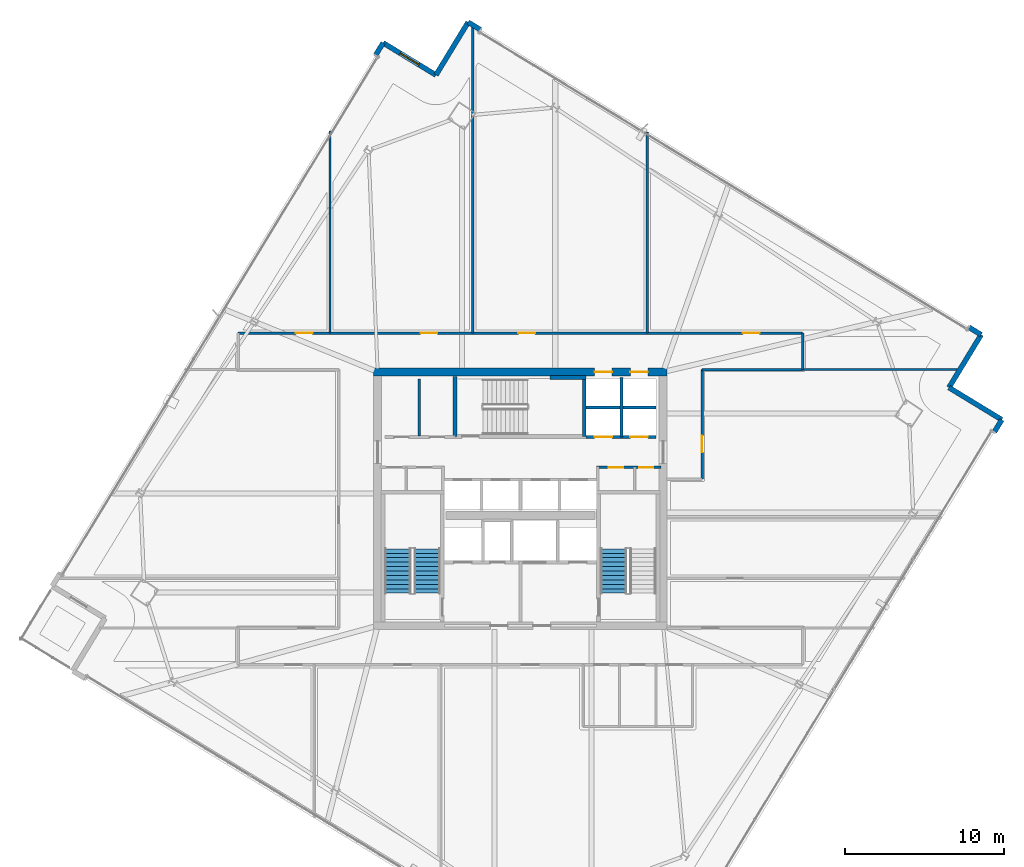
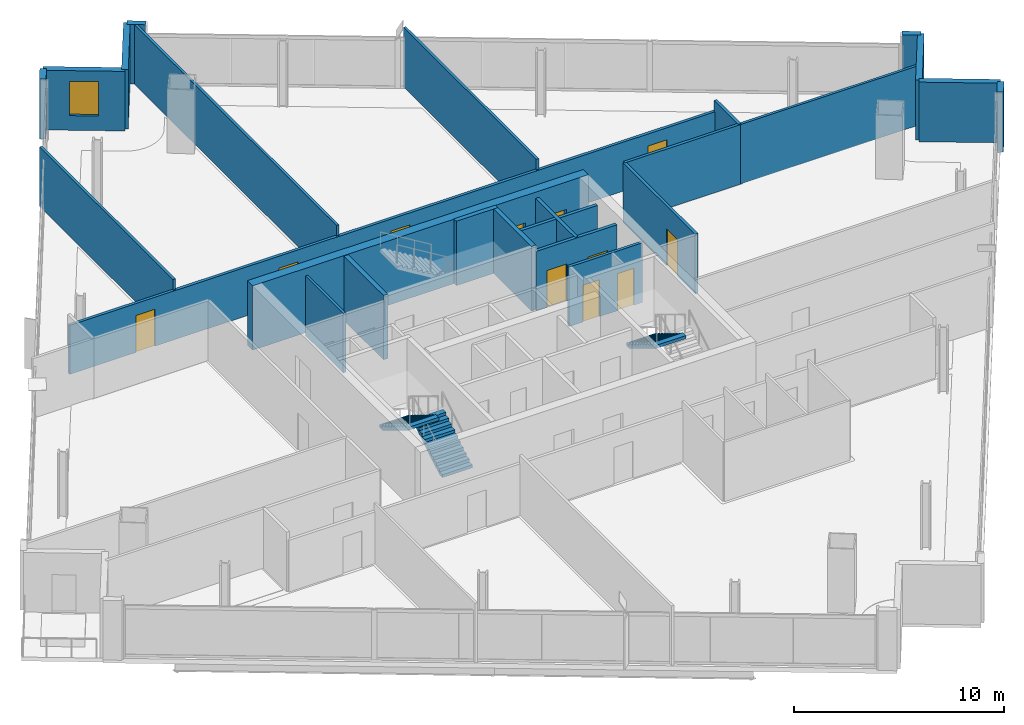
# One storey, part 23 of 28: 25 walls, 11 doors, 3 stair flights, 1 window, 12 openings, 2 elements without a shape of their own.
"""IFC4 building model written with IfcOpenShell, lengths in metres."""

from ifc_helpers import new_model, si_unit, direction, frame, frame_2d, origin, place, context, subcontext, project, spatial, polyline, rectangle, outline, extrude, material, layer, layer_set, type_object, element, fill, aggregate, save


model = new_model("IFC4")

# Units and contexts
model_context = context("Model", 3, precision=1e-05, world=origin(), true_north=direction((0.0, 1.0)))
body_context = subcontext(model_context, "Body", "Model", "MODEL_VIEW")
ifc_project = project(units=[si_unit("LENGTHUNIT", "METRE"), si_unit("AREAUNIT", "SQUARE_METRE"), si_unit("VOLUMEUNIT", "CUBIC_METRE"), si_unit("PLANEANGLEUNIT", "RADIAN"), si_unit("MASSUNIT", "GRAM", prefix="KILO")], contexts=[model_context])

# Site, building, storey
site_placement = place(None, origin())
site = spatial("IfcSite", under=ifc_project, at=site_placement, CompositionType="ELEMENT")
building_placement = place(site_placement, origin())
building = spatial("IfcBuilding", under=site, at=building_placement, Name="Haldenkirk Collegiate Tower", CompositionType="ELEMENT")
storey_placement = place(building_placement, frame((0.0, 0.0, 224.699951171875)))
storey = spatial("IfcBuildingStorey", under=building, at=storey_placement, Name="L56", CompositionType="ELEMENT", Elevation=224.699951171875)

# Wall, openings, doors
ifc_material_1 = material(Name="Concrete f'c 55 MPa", Category="concrete")
ifc_layer_1 = layer(ifc_material_1, 0.5)
ifc_layer_set_1 = layer_set([ifc_layer_1], Name="Concrete f'c 55 MPa")
wall_type_1 = type_object("IfcWallType", Name="WL-CORE-500", PredefinedType="SHEAR", material=ifc_layer_set_1)
wall_1_placement = place(storey_placement, frame((26.75, 34.0, 0.0), z_axis=(0.0, 0.0, 1.0), x_axis=(1.0, 0.0, 0.0)))
wall_1 = element("IfcWall", 1, at=wall_1_placement, inside=storey, type_object=wall_type_1, Name="L56 central core shear wall N", PredefinedType="SHEAR", context=body_context, shape_type="SweptSolid", body=[
    extrude(rectangle(XDim=18.5, YDim=0.5, at=frame_2d((9.25, 0.0))), origin(), (0.0, 0.0, 1.0), 3.75),
])
opening_1_placement = place(wall_1_placement, frame((13.93505859375, 0.0, 0.0)))
opening_1 = element("IfcOpeningElement", 2, at=opening_1_placement, cuts=wall_1, Name="Opening LD-11", PredefinedType="OPENING", context=body_context, shape_type="SweptSolid", body=[
    extrude(rectangle(XDim=1.10009765625, YDim=2.14990234375, at=frame_2d((0.550048828125, 1.074951171875))), frame((0.0, 0.260009765625, 0.0), z_axis=(0.0, -1.0, 0.0), x_axis=(1.0, 0.0, 0.0)), (0.0, 0.0, 1.0), 0.52001953125),
])
opening_2_placement = place(wall_1_placement, frame((16.18505859375, 0.0, 0.0)))
opening_2 = element("IfcOpeningElement", 3, at=opening_2_placement, cuts=wall_1, Name="Opening LD-11", PredefinedType="OPENING", context=body_context, shape_type="SweptSolid", body=[
    extrude(rectangle(XDim=1.10009765625, YDim=2.14990234375, at=frame_2d((0.550048828125, 1.074951171875))), frame((0.0, 0.260009765625, 0.0), z_axis=(0.0, -1.0, 0.0), x_axis=(1.0, 0.0, 0.0)), (0.0, 0.0, 1.0), 0.52001953125),
])
ifc_material_2 = material(Name="Brushed architectural stainless steel", Category="steel")
ifc_layer_2 = layer(ifc_material_2, 0.06005859375)
ifc_layer_set_2 = layer_set([ifc_layer_2], Name="Brushed architectural stainless steel")
door_type_1 = type_object("IfcDoorType", Name="LD-PASS-1100", OperationType="NOTDEFINED", PredefinedType="DOOR", material=ifc_layer_set_2)
door_1_placement = place(opening_1_placement, origin())
door_1 = element("IfcDoor", 4, at=door_1_placement, inside=storey, type_object=door_type_1, Name="L56 Elevator PM3 sliding landing door", OperationType="SLIDING_TO_LEFT", OverallHeight=2.14990234375, OverallWidth=1.10009765625, PredefinedType="DOOR", context=body_context, shape_type="SweptSolid", body=[
    extrude(rectangle(XDim=1.10009765625, YDim=2.14990234375, at=frame_2d((0.550048828125, 1.074951171875))), frame((0.0, 0.02490234375, 0.0), z_axis=(0.0, -1.0, 0.0), x_axis=(1.0, 0.0, 0.0)), (0.0, 0.0, 1.0), 0.050048828125),
])
fill(opening_1, door_1)
door_2_placement = place(opening_2_placement, origin())
door_2 = element("IfcDoor", 5, at=door_2_placement, inside=storey, type_object=door_type_1, Name="L56 Elevator PM4 sliding landing door", OperationType="SLIDING_TO_LEFT", OverallHeight=2.14990234375, OverallWidth=1.10009765625, PredefinedType="DOOR", context=body_context, shape_type="SweptSolid", body=[
    extrude(rectangle(XDim=1.10009765625, YDim=2.14990234375, at=frame_2d((0.550048828125, 1.074951171875))), frame((0.0, 0.02490234375, 0.0), z_axis=(0.0, -1.0, 0.0), x_axis=(1.0, 0.0, 0.0)), (0.0, 0.0, 1.0), 0.050048828125),
])
fill(opening_2, door_2)

# Walls
ifc_material_3 = material(Name="Precast concrete f'c 40 MPa", Category="concrete")
ifc_layer_3 = layer(ifc_material_3, 0.320068359375)
ifc_layer_set_3 = layer_set([ifc_layer_3], Name="Precast concrete f'c 40 MPa")
wall_type_2 = type_object("IfcWallType", Name="WL-EXT-TWR-320", PredefinedType="STANDARD", material=ifc_layer_set_3)
wall_2_placement = place(storey_placement, frame((66.35107421875, 30.987548828125, 0.0), z_axis=(0.0, 0.0, 1.0), x_axis=(-0.520308352915, -0.853978464534, 0.0)))
element("IfcWall", 6, at=wall_2_placement, inside=storey, type_object=wall_type_2, Name="L56 precast corner pier SL", PredefinedType="STANDARD", context=body_context, shape_type="SweptSolid", body=[
    extrude(rectangle(XDim=0.89990234375, YDim=0.320068359375, at=frame_2d((0.449951171875, 0.0))), origin(), (0.0, 0.0, 1.0), 3.469970703125),
])
wall_3_placement = place(storey_placement, frame((63.0205078125, 33.0166015625, 0.0), z_axis=(0.0, 0.0, 1.0), x_axis=(0.853999033914, -0.520274591032, 0.0)))
element("IfcWall", 7, at=wall_3_placement, inside=storey, type_object=wall_type_2, Name="L56 bronze precast notch wall 02", PredefinedType="STANDARD", context=body_context, shape_type="SweptSolid", body=[
    extrude(rectangle(XDim=3.89990234375, YDim=0.320068359375, at=frame_2d((1.949951171875, 0.0))), origin(), (0.0, 0.0, 1.0), 3.469970703125),
])
wall_4_placement = place(storey_placement, frame((65.04931640625, 36.347412109375, 0.0), z_axis=(0.0, 0.0, 1.0), x_axis=(-0.520201120661, -0.854043789312, 0.0)))
element("IfcWall", 8, at=wall_4_placement, inside=storey, type_object=wall_type_2, Name="L56 bronze precast notch wall 03", PredefinedType="STANDARD", context=body_context, shape_type="SweptSolid", body=[
    extrude(rectangle(XDim=3.900146484375, YDim=0.320068359375, at=frame_2d((1.9501953125, 0.0))), origin(), (0.0, 0.0, 1.0), 3.469970703125),
])
for number, where, z_axis, x_axis, name in (
    (9, (32.703857421875, 56.05224609375, 0.0), (0.0, 0.0, 1.0), (0.853978464534, -0.520308352915, 0.0), "L56 precast corner pier EL"),
    (10, (64.28076171875, 36.8154296875, 0.0), (0.0, 0.0, 1.0), (0.854098995495, -0.520110474702, 0.0), "L56 precast corner pier ER"),
):
    element("IfcWall", number, at=place(storey_placement, frame(where, z_axis=z_axis, x_axis=x_axis)), inside=storey, type_object=wall_type_2, Name=name, PredefinedType="STANDARD", context=body_context, shape_type="SweptSolid", body=[
        extrude(rectangle(XDim=0.89990234375, YDim=0.320068359375, at=frame_2d((0.449951171875, 0.0))), origin(), (0.0, 0.0, 1.0), 3.469970703125),
    ])
wall_5_placement = place(storey_placement, frame((30.6748046875, 52.7216796875, 0.0), z_axis=(0.0, 0.0, 1.0), x_axis=(0.520274591032, 0.853999033914, 0.0)))
element("IfcWall", 11, at=wall_5_placement, inside=storey, type_object=wall_type_2, Name="L56 bronze precast notch wall 05", PredefinedType="STANDARD", context=body_context, shape_type="SweptSolid", body=[
    extrude(rectangle(XDim=3.89990234375, YDim=0.320068359375, at=frame_2d((1.949951171875, 0.0))), origin(), (0.0, 0.0, 1.0), 3.469970703125),
])

# Wall, opening, window
wall_6_placement = place(storey_placement, frame((27.34423828125, 54.750732421875, 0.0), z_axis=(0.0, 0.0, 1.0), x_axis=(0.853999033914, -0.520274591032, 0.0)))
wall_6 = element("IfcWall", 12, at=wall_6_placement, inside=storey, type_object=wall_type_2, Name="L56 bronze precast notch wall 06", PredefinedType="STANDARD", context=body_context, shape_type="SweptSolid", body=[
    extrude(rectangle(XDim=3.89990234375, YDim=0.320068359375, at=frame_2d((1.949951171875, 0.0))), origin(), (0.0, 0.0, 1.0), 3.469970703125),
])
opening_3_placement = place(wall_6_placement, frame((1.25, 0.0, 0.85009765625)))
opening_3 = element("IfcOpeningElement", 13, at=opening_3_placement, cuts=wall_6, Name="Opening W-06", PredefinedType="OPENING", context=body_context, shape_type="SweptSolid", body=[
    extrude(rectangle(XDim=1.39990234375, YDim=2.0, at=frame_2d((0.699951171875, 1.0))), frame((0.0, 0.169921875, 0.0), z_axis=(0.0, -1.0, 0.0), x_axis=(1.0, 0.0, 0.0)), (0.0, 0.0, 1.0), 0.340087890625),
])
ifc_material_4 = material(Name="Low-E argon triple insulating glass", Category="glass")
ifc_layer_4 = layer(ifc_material_4, 0.090087890625)
ifc_layer_set_4 = layer_set([ifc_layer_4], Name="Low-E argon triple insulating glass")
window_type = type_object("IfcWindowType", Name="WN-Z4-1400X2000", PartitioningType="SINGLE_PANEL", PredefinedType="WINDOW", material=ifc_layer_set_4)
window_placement = place(opening_3_placement, origin())
window = element("IfcWindow", 14, at=window_placement, inside=storey, type_object=window_type, Name="L56 precast-frame academic window 5", OverallHeight=2.0, OverallWidth=1.39990234375, PartitioningType="SINGLE_PANEL", PredefinedType="WINDOW", context=body_context, shape_type="SweptSolid", body=[
    extrude(rectangle(XDim=1.39990234375, YDim=2.0, at=frame_2d((0.699951171875, 1.0))), frame((0.0, 0.030029296875, 0.0), z_axis=(0.0, -1.0, 0.0), x_axis=(1.0, 0.0, 0.0)), (0.0, 0.0, 1.0), 0.06005859375),
])
fill(opening_3, window)

# Wall
wall_7_placement = place(storey_placement, frame((26.876220703125, 53.982177734375, 0.0), z_axis=(0.0, 0.0, 1.0), x_axis=(0.520110474702, 0.854098995495, 0.0)))
element("IfcWall", 15, at=wall_7_placement, inside=storey, type_object=wall_type_2, Name="L56 precast corner pier NR", PredefinedType="STANDARD", context=body_context, shape_type="SweptSolid", body=[
    extrude(rectangle(XDim=0.89990234375, YDim=0.320068359375, at=frame_2d((0.449951171875, 0.0))), origin(), (0.0, 0.0, 1.0), 3.469970703125),
])

# Wall, openings, doors
ifc_material_5 = material(Name="Acoustic fire-rated gypsum partition", Category="concrete")
ifc_layer_5 = layer(ifc_material_5, 0.159912109375)
ifc_layer_set_5 = layer_set([ifc_layer_5], Name="Acoustic fire-rated gypsum partition")
wall_type_3 = type_object("IfcWallType", Name="WL-INT-CORR-160", PredefinedType="PARTITIONING", material=ifc_layer_set_5)
wall_8_placement = place(storey_placement, frame((40.800048828125, 27.97998046875, 0.0), z_axis=(0.0, 0.0, 1.0), x_axis=(1.0, 0.0, 0.0)))
wall_8 = element("IfcWall", 16, at=wall_8_placement, inside=storey, type_object=wall_type_3, Name="L56 interior partition IW-L56-VCSE-N", PredefinedType="PARTITIONING", context=body_context, shape_type="SweptSolid", body=[
    extrude(rectangle(XDim=4.050048828125, YDim=0.159912109375, at=frame_2d((2.02490234375, 0.0))), origin(), (0.0, 0.0, 1.0), 3.469970703125),
])
opening_4_placement = place(wall_8_placement, frame((0.77001953125, 0.0, 0.0)))
opening_4 = element("IfcOpeningElement", 17, at=opening_4_placement, cuts=wall_8, Name="Opening D-11", PredefinedType="OPENING", context=body_context, shape_type="SweptSolid", body=[
    extrude(rectangle(XDim=0.89990234375, YDim=2.14990234375, at=frame_2d((0.449951171875, 1.074951171875))), frame((0.0, 0.08984375, 0.0), z_axis=(0.0, -1.0, 0.0), x_axis=(1.0, 0.0, 0.0)), (0.0, 0.0, 1.0), 0.179931640625),
])
opening_5_placement = place(wall_8_placement, frame((2.679931640625, 0.0, 0.0)))
opening_5 = element("IfcOpeningElement", 18, at=opening_5_placement, cuts=wall_8, Name="Opening D-11", PredefinedType="OPENING", context=body_context, shape_type="SweptSolid", body=[
    extrude(rectangle(XDim=0.89990234375, YDim=2.14990234375, at=frame_2d((0.449951171875, 1.074951171875))), frame((0.0, 0.08984375, 0.0), z_axis=(0.0, -1.0, 0.0), x_axis=(1.0, 0.0, 0.0)), (0.0, 0.0, 1.0), 0.179931640625),
])
ifc_material_6 = material(Name="Solid-core architectural oak fire door", Category="wood")
ifc_layer_6 = layer(ifc_material_6, 0.06005859375)
ifc_layer_set_6 = layer_set([ifc_layer_6], Name="Solid-core architectural oak fire door")
door_type_2 = type_object("IfcDoorType", Name="DR-INT-FD60-900", OperationType="NOTDEFINED", PredefinedType="DOOR", material=ifc_layer_set_6)
door_3_placement = place(opening_4_placement, origin())
door_3 = element("IfcDoor", 19, at=door_3_placement, inside=storey, type_object=door_type_2, Name="L56 core archive door", OperationType="SINGLE_SWING_LEFT", OverallHeight=2.14990234375, OverallWidth=0.89990234375, PredefinedType="DOOR", context=body_context, shape_type="SweptSolid", body=[
    extrude(rectangle(XDim=0.89990234375, YDim=2.14990234375, at=frame_2d((0.449951171875, 1.074951171875))), frame((0.0, 0.02490234375, 0.0), z_axis=(0.0, -1.0, 0.0), x_axis=(1.0, 0.0, 0.0)), (0.0, 0.0, 1.0), 0.050048828125),
])
fill(opening_4, door_3)
door_4_placement = place(opening_5_placement, origin())
door_4 = element("IfcDoor", 20, at=door_4_placement, inside=storey, type_object=door_type_2, Name="L56 core telecom door", OperationType="SINGLE_SWING_RIGHT", OverallHeight=2.14990234375, OverallWidth=0.89990234375, PredefinedType="DOOR", context=body_context, shape_type="SweptSolid", body=[
    extrude(rectangle(XDim=0.89990234375, YDim=2.14990234375, at=frame_2d((0.449951171875, 1.074951171875))), frame((0.0, 0.02490234375, 0.0), z_axis=(0.0, -1.0, 0.0), x_axis=(1.0, 0.0, 0.0)), (0.0, 0.0, 1.0), 0.050048828125),
])
fill(opening_5, door_4)

wall_9_placement = place(storey_placement, frame((18.199951171875, 36.449951171875, 0.0), z_axis=(0.0, 0.0, 1.0), x_axis=(1.0, 0.0, 0.0)))
wall_9 = element("IfcWall", 21, at=wall_9_placement, inside=storey, type_object=wall_type_3, Name="L56 interior partition IW-L56-CN", PredefinedType="PARTITIONING", context=body_context, shape_type="SweptSolid", body=[
    extrude(rectangle(XDim=35.60009765625, YDim=0.159912109375, at=frame_2d((17.800048828125, 0.0))), origin(), (0.0, 0.0, 1.0), 2.84912109375),
])
opening_6_placement = place(wall_9_placement, frame((3.64501953125, 0.0, 0.0)))
opening_6 = element("IfcOpeningElement", 22, at=opening_6_placement, cuts=wall_9, Name="Opening D-09", PredefinedType="OPENING", context=body_context, shape_type="SweptSolid", body=[
    extrude(rectangle(XDim=1.050048828125, YDim=2.14990234375, at=frame_2d((0.52490234375, 1.074951171875))), frame((0.0, 0.08984375, 0.0), z_axis=(0.0, -1.0, 0.0), x_axis=(1.0, 0.0, 0.0)), (0.0, 0.0, 1.0), 0.179931640625),
])
opening_7_placement = place(wall_9_placement, frame((11.514892578125, 0.0, 0.0)))
opening_7 = element("IfcOpeningElement", 23, at=opening_7_placement, cuts=wall_9, Name="Opening D-09", PredefinedType="OPENING", context=body_context, shape_type="SweptSolid", body=[
    extrude(rectangle(XDim=1.050048828125, YDim=2.14990234375, at=frame_2d((0.52490234375, 1.074951171875))), frame((0.0, 0.08984375, 0.0), z_axis=(0.0, -1.0, 0.0), x_axis=(1.0, 0.0, 0.0)), (0.0, 0.0, 1.0), 0.179931640625),
])
opening_8_placement = place(wall_9_placement, frame((17.675048828125, 0.0, 0.0)))
opening_8 = element("IfcOpeningElement", 24, at=opening_8_placement, cuts=wall_9, Name="Opening D-09", PredefinedType="OPENING", context=body_context, shape_type="SweptSolid", body=[
    extrude(rectangle(XDim=1.050048828125, YDim=2.14990234375, at=frame_2d((0.52490234375, 1.074951171875))), frame((0.0, 0.08984375, 0.0), z_axis=(0.0, -1.0, 0.0), x_axis=(1.0, 0.0, 0.0)), (0.0, 0.0, 1.0), 0.179931640625),
])
opening_9_placement = place(wall_9_placement, frame((31.8330078125, 0.0, 0.0)))
opening_9 = element("IfcOpeningElement", 25, at=opening_9_placement, cuts=wall_9, Name="Opening D-09", PredefinedType="OPENING", context=body_context, shape_type="SweptSolid", body=[
    extrude(rectangle(XDim=1.050048828125, YDim=2.14990234375, at=frame_2d((0.52490234375, 1.074951171875))), frame((0.0, 0.08984375, 0.0), z_axis=(0.0, -1.0, 0.0), x_axis=(1.0, 0.0, 0.0)), (0.0, 0.0, 1.0), 0.179931640625),
])
ifc_layer_7 = layer(ifc_material_6, 0.06005859375)
ifc_layer_set_7 = layer_set([ifc_layer_7], Name="Solid-core architectural oak fire door")
door_type_3 = type_object("IfcDoorType", Name="DR-INT-FD60-1050", OperationType="NOTDEFINED", PredefinedType="DOOR", material=ifc_layer_set_7)
door_5_placement = place(opening_6_placement, origin())
door_5 = element("IfcDoor", 26, at=door_5_placement, inside=storey, type_object=door_type_3, Name="L56 Case Method Seminar Room 4 door", OperationType="SINGLE_SWING_LEFT", OverallHeight=2.14990234375, OverallWidth=1.050048828125, PredefinedType="DOOR", context=body_context, shape_type="SweptSolid", body=[
    extrude(rectangle(XDim=1.050048828125, YDim=2.14990234375, at=frame_2d((0.52490234375, 1.074951171875))), frame((0.0, 0.02490234375, 0.0), z_axis=(0.0, -1.0, 0.0), x_axis=(1.0, 0.0, 0.0)), (0.0, 0.0, 1.0), 0.050048828125),
])
fill(opening_6, door_5)
door_6_placement = place(opening_7_placement, origin())
door_6 = element("IfcDoor", 27, at=door_6_placement, inside=storey, type_object=door_type_3, Name="L56 Breakout Conference Room 5 door", OperationType="SINGLE_SWING_RIGHT", OverallHeight=2.14990234375, OverallWidth=1.050048828125, PredefinedType="DOOR", context=body_context, shape_type="SweptSolid", body=[
    extrude(rectangle(XDim=1.050048828125, YDim=2.14990234375, at=frame_2d((0.52490234375, 1.074951171875))), frame((0.0, 0.02490234375, 0.0), z_axis=(0.0, -1.0, 0.0), x_axis=(1.0, 0.0, 0.0)), (0.0, 0.0, 1.0), 0.050048828125),
])
fill(opening_7, door_6)
door_7_placement = place(opening_8_placement, origin())
door_7 = element("IfcDoor", 28, at=door_7_placement, inside=storey, type_object=door_type_3, Name="L56 Critique Seminar Room 6 door", OperationType="SINGLE_SWING_LEFT", OverallHeight=2.14990234375, OverallWidth=1.050048828125, PredefinedType="DOOR", context=body_context, shape_type="SweptSolid", body=[
    extrude(rectangle(XDim=1.050048828125, YDim=2.14990234375, at=frame_2d((0.52490234375, 1.074951171875))), frame((0.0, 0.02490234375, 0.0), z_axis=(0.0, -1.0, 0.0), x_axis=(1.0, 0.0, 0.0)), (0.0, 0.0, 1.0), 0.050048828125),
])
fill(opening_8, door_7)
door_8_placement = place(opening_9_placement, origin())
door_8 = element("IfcDoor", 29, at=door_8_placement, inside=storey, type_object=door_type_3, Name="L56 Collegiate Commons Lounge 7 door", OperationType="SINGLE_SWING_RIGHT", OverallHeight=2.14990234375, OverallWidth=1.050048828125, PredefinedType="DOOR", context=body_context, shape_type="SweptSolid", body=[
    extrude(rectangle(XDim=1.050048828125, YDim=2.14990234375, at=frame_2d((0.52490234375, 1.074951171875))), frame((0.0, 0.02490234375, 0.0), z_axis=(0.0, -1.0, 0.0), x_axis=(1.0, 0.0, 0.0)), (0.0, 0.0, 1.0), 0.050048828125),
])
fill(opening_9, door_8)

# Wall
wall_10_placement = place(storey_placement, frame((47.449951171875, 34.14990234375, 0.0), z_axis=(0.0, 0.0, 1.0), x_axis=(1.0, 0.0, 0.0)))
element("IfcWall", 30, at=wall_10_placement, inside=storey, type_object=wall_type_3, Name="L56 interior partition IW-L56-CNE", PredefinedType="PARTITIONING", context=body_context, shape_type="SweptSolid", body=[
    extrude(rectangle(XDim=6.35009765625, YDim=0.159912109375, at=frame_2d((3.175048828125, 0.0))), origin(), (0.0, 0.0, 1.0), 3.469970703125),
])

# Wall, opening, door
wall_11_placement = place(storey_placement, frame((47.449951171875, 27.25, 0.0), z_axis=(0.0, 0.0, 1.0), x_axis=(0.0, 1.0, 0.0)))
wall_11 = element("IfcWall", 31, at=wall_11_placement, inside=storey, type_object=wall_type_3, Name="L56 interior partition IW-L56-CE", PredefinedType="PARTITIONING", context=body_context, shape_type="SweptSolid", body=[
    extrude(rectangle(XDim=6.89990234375, YDim=0.159912109375, at=frame_2d((3.449951171875, 0.0))), origin(), (0.0, 0.0, 1.0), 3.469970703125),
])
opening_10_placement = place(wall_11_placement, frame((1.68310546875, 0.0, 0.0)))
opening_10 = element("IfcOpeningElement", 32, at=opening_10_placement, cuts=wall_11, Name="Opening D-09", PredefinedType="OPENING", context=body_context, shape_type="SweptSolid", body=[
    extrude(rectangle(XDim=1.050048828125, YDim=2.14990234375, at=frame_2d((0.52490234375, 1.074951171875))), frame((0.0, 0.08984375, 0.0), z_axis=(0.0, -1.0, 0.0), x_axis=(1.0, 0.0, 0.0)), (0.0, 0.0, 1.0), 0.179931640625),
])
door_9_placement = place(opening_10_placement, origin())
door_9 = element("IfcDoor", 33, at=door_9_placement, inside=storey, type_object=door_type_3, Name="L56 Critique Seminar Room 12 door", OperationType="SINGLE_SWING_LEFT", OverallHeight=2.14990234375, OverallWidth=1.050048828125, PredefinedType="DOOR", context=body_context, shape_type="SweptSolid", body=[
    extrude(rectangle(XDim=1.050048828125, YDim=2.14990234375, at=frame_2d((0.52490234375, 1.074951171875))), frame((0.0, 0.02490234375, 0.0), z_axis=(0.0, -1.0, 0.0), x_axis=(1.0, 0.0, 0.0)), (0.0, 0.0, 1.0), 0.050048828125),
])
fill(opening_10, door_9)

# Walls
wall_12_placement = place(storey_placement, frame((53.800048828125, 34.14990234375, 0.0), z_axis=(0.0, 0.0, 1.0), x_axis=(0.0, 1.0, 0.0)))
element("IfcWall", 34, at=wall_12_placement, inside=storey, type_object=wall_type_3, Name="L56 interior partition IW-L56-CNR", PredefinedType="PARTITIONING", context=body_context, shape_type="SweptSolid", body=[
    extrude(rectangle(XDim=2.300048828125, YDim=0.159912109375, at=frame_2d((1.14990234375, 0.0))), origin(), (0.0, 0.0, 1.0), 3.469970703125),
])
ifc_layer_8 = layer(ifc_material_5, 0.139892578125)
ifc_layer_set_8 = layer_set([ifc_layer_8], Name="Acoustic fire-rated gypsum partition")
wall_type_4 = type_object("IfcWallType", Name="WL-INT-DIV-140", PredefinedType="PARTITIONING", material=ifc_layer_set_8)
wall_13_placement = place(storey_placement, frame((29.6201171875, 29.949951171875, 0.0), z_axis=(0.0, 0.0, 1.0), x_axis=(0.0, 1.0, 0.0)))
element("IfcWall", 35, at=wall_13_placement, inside=storey, type_object=wall_type_4, Name="L56 interior partition IW-L56-PLDIV", PredefinedType="PARTITIONING", context=body_context, shape_type="SweptSolid", body=[
    extrude(rectangle(XDim=3.60009765625, YDim=0.139892578125, at=frame_2d((1.800048828125, 0.0))), origin(), (0.0, 0.0, 1.0), 3.469970703125),
])
wall_14_placement = place(storey_placement, frame((53.800048828125, 34.14990234375, 0.0), z_axis=(0.0, 0.0, 1.0), x_axis=(1.0, 0.0, 0.0)))
element("IfcWall", 36, at=wall_14_placement, inside=storey, type_object=wall_type_4, Name="L56 interior partition IW-L56-BEN", PredefinedType="PARTITIONING", context=body_context, shape_type="SweptSolid", body=[
    extrude(rectangle(XDim=9.864013671875, YDim=0.139892578125, at=frame_2d((4.93212890625, 0.0))), origin(), (0.0, 0.0, 1.0), 3.469970703125),
])
wall_15_placement = place(storey_placement, frame((24.0, 36.449951171875, 0.0), z_axis=(0.0, 0.0, 1.0), x_axis=(0.0, 1.0, 0.0)))
element("IfcWall", 37, at=wall_15_placement, inside=storey, type_object=wall_type_4, Name="L56 interior partition IW-L56-RN1", PredefinedType="PARTITIONING", context=body_context, shape_type="SweptSolid", body=[
    extrude(rectangle(XDim=12.734130859375, YDim=0.139892578125, at=frame_2d((6.3671875, 0.0))), origin(), (0.0, 0.0, 1.0), 3.469970703125),
])
wall_16_placement = place(storey_placement, frame((33.0, 36.449951171875, 0.0), z_axis=(0.0, 0.0, 1.0), x_axis=(0.0, 1.0, 0.0)))
element("IfcWall", 38, at=wall_16_placement, inside=storey, type_object=wall_type_4, Name="L56 interior partition IW-L56-RN2", PredefinedType="PARTITIONING", context=body_context, shape_type="SweptSolid", body=[
    extrude(rectangle(XDim=19.375244140625, YDim=0.139892578125, at=frame_2d((9.6875, 0.0))), origin(), (0.0, 0.0, 1.0), 3.469970703125),
])
wall_17_placement = place(storey_placement, frame((44.0, 36.449951171875, 0.0), z_axis=(0.0, 0.0, 1.0), x_axis=(0.0, 1.0, 0.0)))
element("IfcWall", 39, at=wall_17_placement, inside=storey, type_object=wall_type_4, Name="L56 interior partition IW-L56-RN3", PredefinedType="PARTITIONING", context=body_context, shape_type="SweptSolid", body=[
    extrude(rectangle(XDim=12.673828125, YDim=0.139892578125, at=frame_2d((6.3369140625, 0.0))), origin(), (0.0, 0.0, 1.0), 3.469970703125),
])

# Wall, openings, doors
ifc_material_7 = material(Name="Fire-rated gypsum shaftboard assembly", Category="concrete")
ifc_layer_9 = layer(ifc_material_7, 0.179931640625)
ifc_layer_set_9 = layer_set([ifc_layer_9], Name="Fire-rated gypsum shaftboard assembly")
wall_type_5 = type_object("IfcWallType", Name="WL-INT-SHAFT-180", PredefinedType="PARTITIONING", material=ifc_layer_set_9)
wall_18_placement = place(storey_placement, frame((40.1201171875, 29.89990234375, 0.0), z_axis=(0.0, 0.0, 1.0), x_axis=(1.0, 0.0, 0.0)))
wall_18 = element("IfcWall", 40, at=wall_18_placement, inside=storey, type_object=wall_type_5, Name="L56 interior partition IW-L56-PMS", PredefinedType="PARTITIONING", context=body_context, shape_type="SweptSolid", body=[
    extrude(rectangle(XDim=4.429931640625, YDim=0.179931640625, at=frame_2d((2.21484375, 0.0))), origin(), (0.0, 0.0, 1.0), 3.469970703125),
])
opening_11_placement = place(wall_18_placement, frame((0.56494140625, 0.0, 0.0)))
opening_11 = element("IfcOpeningElement", 41, at=opening_11_placement, cuts=wall_18, Name="Opening LD-11", PredefinedType="OPENING", context=body_context, shape_type="SweptSolid", body=[
    extrude(rectangle(XDim=1.10009765625, YDim=2.14990234375, at=frame_2d((0.550048828125, 1.074951171875))), frame((0.0, 0.099853515625, 0.0), z_axis=(0.0, -1.0, 0.0), x_axis=(1.0, 0.0, 0.0)), (0.0, 0.0, 1.0), 0.199951171875),
])
opening_12_placement = place(wall_18_placement, frame((2.81494140625, 0.0, 0.0)))
opening_12 = element("IfcOpeningElement", 42, at=opening_12_placement, cuts=wall_18, Name="Opening LD-11", PredefinedType="OPENING", context=body_context, shape_type="SweptSolid", body=[
    extrude(rectangle(XDim=1.10009765625, YDim=2.14990234375, at=frame_2d((0.550048828125, 1.074951171875))), frame((0.0, 0.099853515625, 0.0), z_axis=(0.0, -1.0, 0.0), x_axis=(1.0, 0.0, 0.0)), (0.0, 0.0, 1.0), 0.199951171875),
])
door_10_placement = place(opening_11_placement, origin())
door_10 = element("IfcDoor", 43, at=door_10_placement, inside=storey, type_object=door_type_1, Name="L56 Elevator PM1 sliding landing door", OperationType="SLIDING_TO_LEFT", OverallHeight=2.14990234375, OverallWidth=1.10009765625, PredefinedType="DOOR", context=body_context, shape_type="SweptSolid", body=[
    extrude(rectangle(XDim=1.10009765625, YDim=2.14990234375, at=frame_2d((0.550048828125, 1.074951171875))), frame((0.0, 0.02490234375, 0.0), z_axis=(0.0, -1.0, 0.0), x_axis=(1.0, 0.0, 0.0)), (0.0, 0.0, 1.0), 0.050048828125),
])
fill(opening_11, door_10)
door_11_placement = place(opening_12_placement, origin())
door_11 = element("IfcDoor", 44, at=door_11_placement, inside=storey, type_object=door_type_1, Name="L56 Elevator PM2 sliding landing door", OperationType="SLIDING_TO_LEFT", OverallHeight=2.14990234375, OverallWidth=1.10009765625, PredefinedType="DOOR", context=body_context, shape_type="SweptSolid", body=[
    extrude(rectangle(XDim=1.10009765625, YDim=2.14990234375, at=frame_2d((0.550048828125, 1.074951171875))), frame((0.0, 0.02490234375, 0.0), z_axis=(0.0, -1.0, 0.0), x_axis=(1.0, 0.0, 0.0)), (0.0, 0.0, 1.0), 0.050048828125),
])
fill(opening_12, door_11)

# Walls
wall_19_placement = place(storey_placement, frame((40.1201171875, 31.75, 0.0), z_axis=(0.0, 0.0, 1.0), x_axis=(1.0, 0.0, 0.0)))
element("IfcWall", 45, at=wall_19_placement, inside=storey, type_object=wall_type_5, Name="L56 interior partition IW-L56-PMM", PredefinedType="PARTITIONING", context=body_context, shape_type="SweptSolid", body=[
    extrude(rectangle(XDim=4.429931640625, YDim=0.179931640625, at=frame_2d((2.21484375, 0.0))), origin(), (0.0, 0.0, 1.0), 3.469970703125),
])
wall_20_placement = place(storey_placement, frame((42.3701171875, 29.89990234375, 0.0), z_axis=(0.0, 0.0, 1.0), x_axis=(0.0, 1.0, 0.0)))
element("IfcWall", 46, at=wall_20_placement, inside=storey, type_object=wall_type_5, Name="L56 interior partition IW-L56-PMV", PredefinedType="PARTITIONING", context=body_context, shape_type="SweptSolid", body=[
    extrude(rectangle(XDim=3.75, YDim=0.179931640625, at=frame_2d((1.875, 0.0))), origin(), (0.0, 0.0, 1.0), 3.469970703125),
])
ifc_layer_10 = layer(ifc_material_1, 0.239990234375)
ifc_layer_set_10 = layer_set([ifc_layer_10], Name="Concrete f'c 55 MPa")
wall_type_6 = type_object("IfcWallType", Name="WL-SHAFT-240", PredefinedType="SHEAR", material=ifc_layer_set_10)
wall_21_placement = place(storey_placement, frame((31.8798828125, 29.929931640625, 0.0), z_axis=(0.0, 0.0, 1.0), x_axis=(0.0, 1.0, 0.0)))
element("IfcWall", 47, at=wall_21_placement, inside=storey, type_object=wall_type_6, Name="L56 stair shaft shear wall SW-L56-ST3W", PredefinedType="SHEAR", context=body_context, shape_type="SweptSolid", body=[
    extrude(rectangle(XDim=3.7900390625, YDim=0.239990234375, at=frame_2d((1.89501953125, 0.0))), origin(), (0.0, 0.0, 1.0), 3.75),
])
wall_22_placement = place(storey_placement, frame((40.02001953125, 29.929931640625, 0.0), z_axis=(0.0, 0.0, 1.0), x_axis=(0.0, 1.0, 0.0)))
element("IfcWall", 48, at=wall_22_placement, inside=storey, type_object=wall_type_6, Name="L56 stair shaft shear wall SW-L56-ST3E", PredefinedType="SHEAR", context=body_context, shape_type="SweptSolid", body=[
    extrude(rectangle(XDim=3.85009765625, YDim=0.239990234375, at=frame_2d((1.925048828125, 0.0))), origin(), (0.0, 0.0, 1.0), 3.75),
])
wall_23_placement = place(storey_placement, frame((37.85009765625, 33.659912109375, 0.0), z_axis=(0.0, 0.0, 1.0), x_axis=(1.0, 0.0, 0.0)))
element("IfcWall", 49, at=wall_23_placement, inside=storey, type_object=wall_type_6, Name="L56 stair shaft shear wall SW-L56-ST3N", PredefinedType="SHEAR", context=body_context, shape_type="SweptSolid", body=[
    extrude(rectangle(XDim=2.289794921875, YDim=0.239990234375, at=frame_2d((1.14501953125, 0.0))), origin(), (0.0, 0.0, 1.0), 3.75),
])

# Stair, stair flights
ifc_material_8 = material(Name="Concrete f'c 40 MPa", Category="concrete")
stair_type = type_object("IfcStairType", Name="STR-DOGLEG-1650", PredefinedType="HALF_TURN_STAIR", material=ifc_material_8)
stair_1_placement = place(storey_placement, origin())
stair_1 = element("IfcStair", 50, at=stair_1_placement, inside=storey, type_object=stair_type, Name="L56 Core Exit Stair ST-1", PredefinedType="HALF_TURN_STAIR")
stair_flight_type = type_object("IfcStairFlightType", Name="STF-FLIGHT-1650", PredefinedType="STRAIGHT", material=ifc_material_8)
stair_flight_1_placement = place(storey_placement, frame((30.125, 20.050048828125, 0.0), z_axis=(0.0, 0.0, 1.0), x_axis=(0.0, 1.0, 0.0)))
stair_flight_1 = element("IfcStairFlight", 51, at=stair_flight_1_placement, type_object=stair_flight_type, Name="ST-1 flight 1", NumberOfRisers=11, NumberOfTreads=10, PredefinedType="STRAIGHT", RiserHeight=0.170454545, TreadLength=0.28, context=body_context, shape_type="SweptSolid", body=[
    extrude(outline(polyline([(0.0, 0.0), (0.0, 0.17041015625), (0.280029296875, 0.17041015625), (0.280029296875, 0.3408203125), (0.56005859375, 0.3408203125), (0.56005859375, 0.511474609375), (0.840087890625, 0.511474609375), (0.840087890625, 0.681884765625), (1.1201171875, 0.681884765625), (1.1201171875, 0.852294921875), (1.39990234375, 0.852294921875), (1.39990234375, 1.022705078125), (1.679931640625, 1.022705078125), (1.679931640625, 1.193115234375), (1.9599609375, 1.193115234375), (1.9599609375, 1.363525390625), (2.239990234375, 1.363525390625), (2.239990234375, 1.5341796875), (2.52001953125, 1.5341796875), (2.52001953125, 1.70458984375), (2.800048828125, 1.70458984375), (2.800048828125, 1.875), (2.800048828125, 1.529052734375), (0.288330078125, 0.0), (0.0, 0.0)])), frame((0.0, 0.824951171875, 0.0), z_axis=(0.0, -1.0, 0.0), x_axis=(1.0, 0.0, 0.0)), (0.0, 0.0, 1.0), 1.64990234375),
])
stair_flight_2_placement = place(storey_placement, frame((28.27490234375, 22.85009765625, 1.875), z_axis=(0.0, 0.0, 1.0), x_axis=(0.0, -1.0, 0.0)))
stair_flight_2 = element("IfcStairFlight", 52, at=stair_flight_2_placement, type_object=stair_flight_type, Name="ST-1 flight 2", NumberOfRisers=11, NumberOfTreads=10, PredefinedType="STRAIGHT", RiserHeight=0.170454545, TreadLength=0.28, context=body_context, shape_type="SweptSolid", body=[
    extrude(outline(polyline([(0.0, 0.0), (0.0, 0.17041015625), (0.280029296875, 0.17041015625), (0.280029296875, 0.3408203125), (0.56005859375, 0.3408203125), (0.56005859375, 0.511474609375), (0.840087890625, 0.511474609375), (0.840087890625, 0.681884765625), (1.1201171875, 0.681884765625), (1.1201171875, 0.852294921875), (1.39990234375, 0.852294921875), (1.39990234375, 1.022705078125), (1.679931640625, 1.022705078125), (1.679931640625, 1.193115234375), (1.9599609375, 1.193115234375), (1.9599609375, 1.363525390625), (2.239990234375, 1.363525390625), (2.239990234375, 1.5341796875), (2.52001953125, 1.5341796875), (2.52001953125, 1.70458984375), (2.800048828125, 1.70458984375), (2.800048828125, 1.875), (2.800048828125, 1.529052734375), (0.288330078125, 0.0), (0.0, 0.0)])), frame((0.0, 0.824951171875, 0.0), z_axis=(0.0, -1.0, 0.0), x_axis=(1.0, 0.0, 0.0)), (0.0, 0.0, 1.0), 1.64990234375),
])
aggregate(stair_1, [stair_flight_1, stair_flight_2])

# Stair, stair flight
stair_2_placement = place(storey_placement, origin())
stair_2 = element("IfcStair", 53, at=stair_2_placement, inside=storey, type_object=stair_type, Name="L56 Core Exit Stair ST-2", PredefinedType="HALF_TURN_STAIR")
stair_flight_3_placement = place(storey_placement, frame((41.875, 22.85009765625, 1.875), z_axis=(0.0, 0.0, 1.0), x_axis=(0.0, -1.0, 0.0)))
stair_flight_3 = element("IfcStairFlight", 54, at=stair_flight_3_placement, type_object=stair_flight_type, Name="ST-2 flight 2", NumberOfRisers=11, NumberOfTreads=10, PredefinedType="STRAIGHT", RiserHeight=0.170454545, TreadLength=0.28, context=body_context, shape_type="SweptSolid", body=[
    extrude(outline(polyline([(0.0, 0.0), (0.0, 0.17041015625), (0.280029296875, 0.17041015625), (0.280029296875, 0.3408203125), (0.56005859375, 0.3408203125), (0.56005859375, 0.511474609375), (0.840087890625, 0.511474609375), (0.840087890625, 0.681884765625), (1.1201171875, 0.681884765625), (1.1201171875, 0.852294921875), (1.39990234375, 0.852294921875), (1.39990234375, 1.022705078125), (1.679931640625, 1.022705078125), (1.679931640625, 1.193115234375), (1.9599609375, 1.193115234375), (1.9599609375, 1.363525390625), (2.239990234375, 1.363525390625), (2.239990234375, 1.5341796875), (2.52001953125, 1.5341796875), (2.52001953125, 1.70458984375), (2.800048828125, 1.70458984375), (2.800048828125, 1.875), (2.800048828125, 1.529052734375), (0.288330078125, 0.0), (0.0, 0.0)])), frame((0.0, 0.824951171875, 0.0), z_axis=(0.0, -1.0, 0.0), x_axis=(1.0, 0.0, 0.0)), (0.0, 0.0, 1.0), 1.64990234375),
])
aggregate(stair_2, [stair_flight_3])

save(model, "model.ifc")
